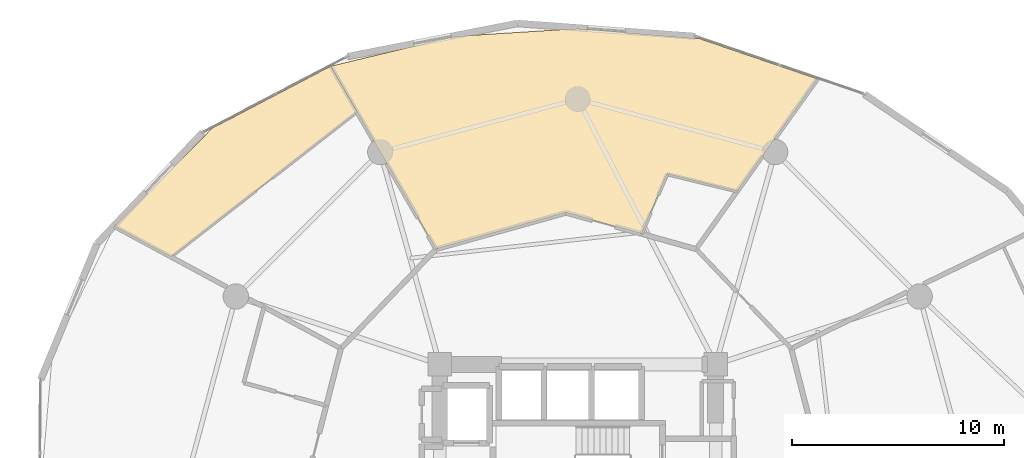
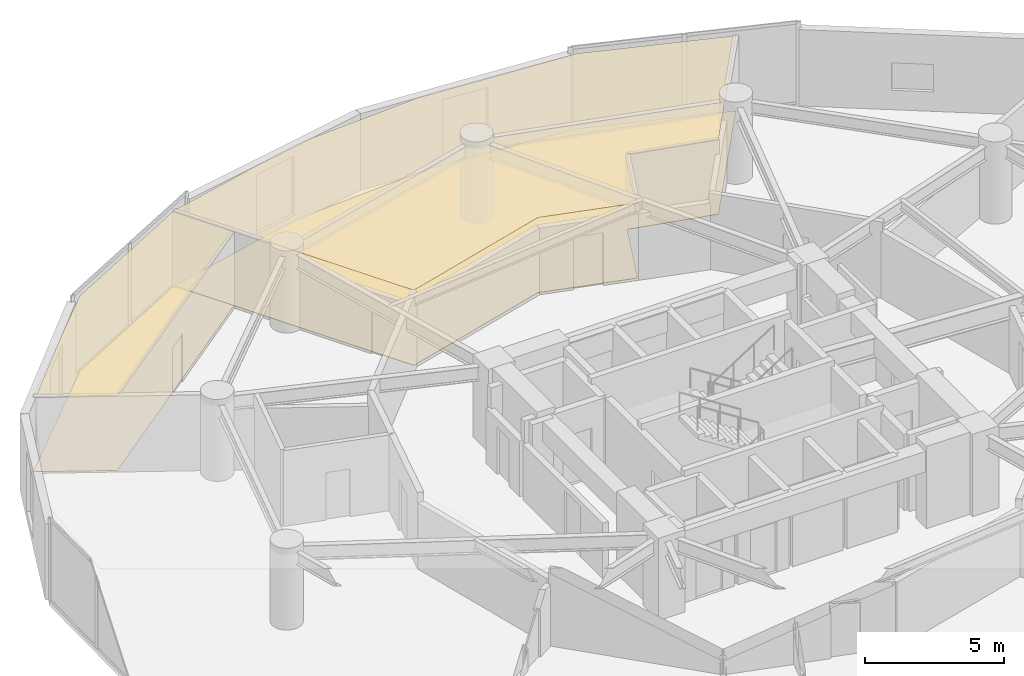
# One storey, part 20 of 20: 4 coverings.
"""IFC4 building model written with IfcOpenShell, lengths in metres."""

from ifc_helpers import new_model, si_unit, direction, frame, origin, place, context, subcontext, project, spatial, polyline, outline, extrude, material, layer, layer_set, type_object, element, save


model = new_model("IFC4")

# Units and contexts
model_context = context("Model", 3, precision=1e-05, world=origin(), true_north=direction((0.0, 1.0)))
body_context = subcontext(model_context, "Body", "Model", "MODEL_VIEW")
ifc_project = project(units=[si_unit("LENGTHUNIT", "METRE"), si_unit("AREAUNIT", "SQUARE_METRE"), si_unit("VOLUMEUNIT", "CUBIC_METRE"), si_unit("PLANEANGLEUNIT", "RADIAN"), si_unit("MASSUNIT", "GRAM", prefix="KILO")], contexts=[model_context])

# Site, building, storey
site_placement = place(None, origin())
site = spatial("IfcSite", under=ifc_project, at=site_placement, CompositionType="ELEMENT")
building_placement = place(site_placement, origin())
building = spatial("IfcBuilding", under=site, at=building_placement, Name="Solvirekh Grand Hotel", CompositionType="ELEMENT")
storey_placement = place(building_placement, frame((0.0, 0.0, 50.0)))
storey = spatial("IfcBuildingStorey", under=building, at=storey_placement, Name="L11", CompositionType="ELEMENT", Elevation=50.0)

# Coverings
ifc_material_1 = material(Name="Acoustic Mineral Ceiling Tile")
ifc_layer_1 = layer(ifc_material_1, 0.02490234375)
ifc_layer_set_1 = layer_set([ifc_layer_1], Name="Acoustic Mineral Ceiling Tile")
covering_type_1 = type_object("IfcCoveringType", Name="Cov_Ceiling_Acoustic", PredefinedType="CEILING", material=ifc_layer_set_1)
covering_1_placement = place(storey_placement, frame((0.0, 0.0, 3.2900390625)))
element("IfcCovering", 1, at=covering_1_placement, inside=storey, type_object=covering_type_1, Name="L11 Diplomatic Suite 1301 Living Room acoustic ceiling", PredefinedType="CEILING", context=body_context, shape_type="SweptSolid", body=[
    extrude(outline(polyline([(4.2080078125, 15.073974609375), (7.51708984375, 14.260009765625), (11.2880859375, 19.551025390625), (5.74609375, 21.446044921875), (0.0, 21.9208984375), (-5.77587890625, 21.555908203125), (-11.634033203125, 20.15087890625), (-6.675048828125, 11.534912109375), (-0.550048828125, 13.25), (3.0029296875, 12.2548828125), (4.2080078125, 15.073974609375)])), origin(), (0.0, 0.0, 1.0), 0.01806640625),
])
covering_2_placement = place(storey_placement, frame((0.0, 0.0, 3.2900390625)))
element("IfcCovering", 2, at=covering_2_placement, inside=storey, type_object=covering_type_1, Name="L11 Diplomatic Suite 1301 Master Bedroom acoustic ceiling", PredefinedType="CEILING", context=body_context, shape_type="SweptSolid", body=[
    extrude(outline(polyline([(-11.634033203125, 20.15087890625), (-17.22412109375, 17.22412109375), (-21.827880859375, 12.60205078125), (-19.160888671875, 11.1640625), (-10.39404296875, 17.9970703125), (-11.634033203125, 20.15087890625)])), origin(), (0.0, 0.0, 1.0), 0.01806640625),
])
ifc_material_2 = material(Name="Porcelain Stoneware Flooring", Category="masonry")
ifc_layer_2 = layer(ifc_material_2, 0.030029296875)
ifc_layer_set_2 = layer_set([ifc_layer_2], Name="Porcelain Stoneware Flooring")
covering_type_2 = type_object("IfcCoveringType", Name="Cov_Floor_Stone", PredefinedType="FLOORING", material=ifc_layer_set_2)
covering_3_placement = place(storey_placement, origin())
element("IfcCovering", 3, at=covering_3_placement, inside=storey, type_object=covering_type_2, Name="L11 Diplomatic Suite 1301 Living Room polished granite flooring", PredefinedType="FLOORING", context=body_context, shape_type="SweptSolid", body=[
    extrude(outline(polyline([(4.2080078125, 15.073974609375), (7.51708984375, 14.260009765625), (11.2880859375, 19.551025390625), (5.74609375, 21.446044921875), (0.0, 21.9208984375), (-5.77587890625, 21.555908203125), (-11.634033203125, 20.15087890625), (-6.675048828125, 11.534912109375), (-0.550048828125, 13.25), (3.0029296875, 12.2548828125), (4.2080078125, 15.073974609375)])), origin(), (0.0, 0.0, 1.0), 0.02001953125),
])
covering_4_placement = place(storey_placement, origin())
element("IfcCovering", 4, at=covering_4_placement, inside=storey, type_object=covering_type_2, Name="L11 Diplomatic Suite 1301 Master Bedroom polished granite flooring", PredefinedType="FLOORING", context=body_context, shape_type="SweptSolid", body=[
    extrude(outline(polyline([(-11.634033203125, 20.15087890625), (-17.22412109375, 17.22412109375), (-21.827880859375, 12.60205078125), (-19.160888671875, 11.1640625), (-10.39404296875, 17.9970703125), (-11.634033203125, 20.15087890625)])), origin(), (0.0, 0.0, 1.0), 0.02001953125),
])

save(model, "model.ifc")
